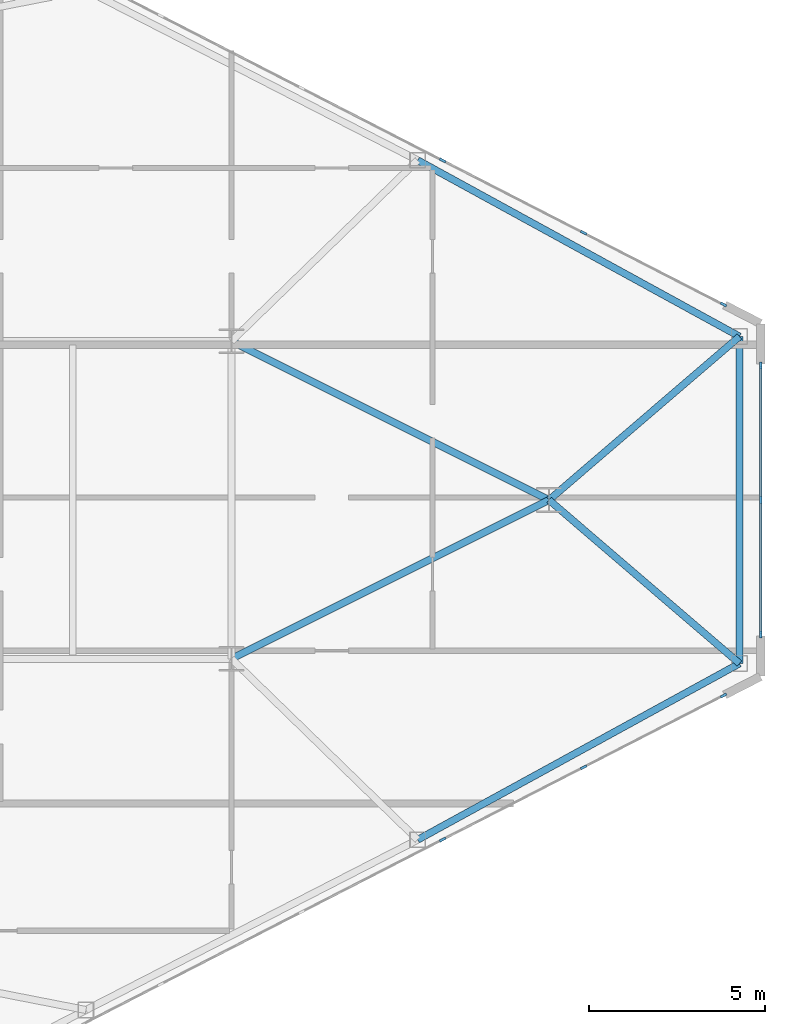
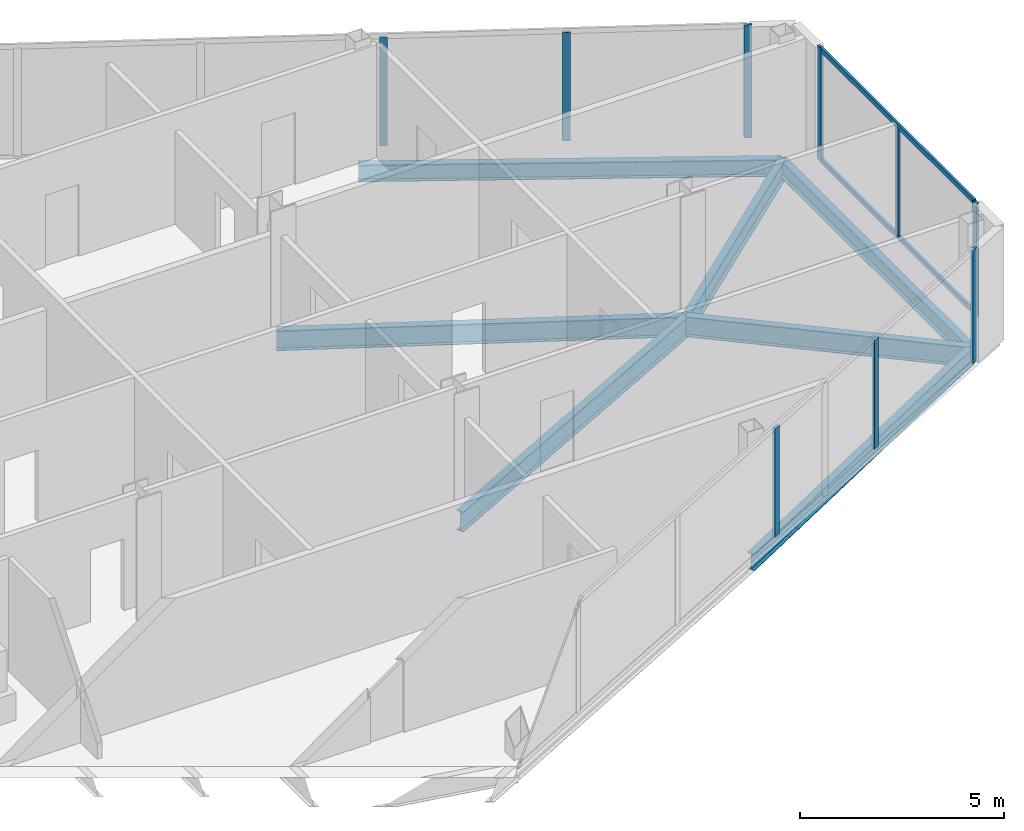
# One storey, part 13 of 23: 11 members, 7 beams, 3 elements without a shape of their own.
"""IFC4 building model written with IfcOpenShell, lengths in metres."""

import ifcopenshell
import ifcopenshell.guid

model = None  # the IFC model being written
_history = None  # IfcOwnerHistory: only IFC2X3 demands one
_inside = {}  # id of a spatial element -> (the spatial element, [elements in it])
_under = {}  # id of a project, library or spatial element -> (it, [spatial elements below it])
_declared = {}  # id of a project -> (the project, [libraries it declares])
_typed = {}  # id of a type object -> (the type object, [elements of that type])
_made_of = {}  # id of a material, layer set ... -> (it, [elements and type objects made of it])


def new_model(schema):
    """Start an empty IFC model of exactly this schema.

    Asked for "IFC4X3", IfcOpenShell would pick the latest addendum, in which some entities
    have other attributes; the version numbers below select the first issue.
    IFC2X3 requires an IfcOwnerHistory on every rooted entity: one is made here for all.
    """
    global model, _history
    if schema == "IFC4X3":
        model = ifcopenshell.file(schema_version=(4, 3, 0, 0))
    else:
        model = ifcopenshell.file(schema=schema)
    _inside.clear()
    _under.clear()
    _declared.clear()
    _typed.clear()
    _made_of.clear()
    _history = None
    if model.schema == "IFC2X3":
        org = make("IfcOrganization", Name="unknown")
        user = make(
            "IfcPersonAndOrganization",
            ThePerson=make("IfcPerson", FamilyName="unknown"),
            TheOrganization=org,
        )
        app = make(
            "IfcApplication",
            ApplicationDeveloper=org,
            Version="unknown",
            ApplicationFullName="unknown",
            ApplicationIdentifier="unknown",
        )
        _history = make(
            "IfcOwnerHistory",
            OwningUser=user,
            OwningApplication=app,
            ChangeAction="ADDED",
            CreationDate=0,
        )
    return model


def make(cls, **values):
    """One entity of the class cls with the attributes given. An attribute that is None is left unset."""
    return model.create_entity(
        cls, **{name: value for name, value in values.items() if value is not None}
    )


def rooted(cls, **values):
    """An entity with a GlobalId (a new one), such as an element, a storey or a relation."""
    return make(cls, GlobalId=ifcopenshell.guid.new(), OwnerHistory=_history, **values)


def si_unit(unit_type, name, prefix=None):
    """IfcSIUnit, for example si_unit("LENGTHUNIT", "METRE", prefix="MILLI")."""
    return make("IfcSIUnit", UnitType=unit_type, Prefix=prefix, Name=name)


def assignment(units):
    """IfcUnitAssignment: the units of a project."""
    return None if units is None else make("IfcUnitAssignment", Units=units)


def point(xyz):
    """IfcCartesianPoint."""
    return None if xyz is None else make("IfcCartesianPoint", Coordinates=xyz)


def direction(xyz):
    """IfcDirection."""
    return None if xyz is None else make("IfcDirection", DirectionRatios=xyz)


def frame(location, z_axis=None, x_axis=None):
    """IfcAxis2Placement3D, a coordinate frame: its origin and axes. An axis left out is left unset."""
    return make(
        "IfcAxis2Placement3D",
        Location=point(location),
        Axis=direction(z_axis),
        RefDirection=direction(x_axis),
    )


def frame_2d(location, x_axis=None):
    """IfcAxis2Placement2D, a coordinate frame in the plane: its origin and x axis."""
    return make(
        "IfcAxis2Placement2D", Location=point(location), RefDirection=direction(x_axis)
    )


def origin():
    """The frame at (0, 0, 0) with its axes left unset."""
    return frame((0.0, 0.0, 0.0))


def origin_2d():
    """The frame at (0, 0) in the plane with its x axis left unset."""
    return frame_2d((0.0, 0.0))


def place(relative_to, where):
    """IfcLocalPlacement: puts the frame where relative to a parent placement (None: the world)."""
    return make(
        "IfcLocalPlacement", PlacementRelTo=relative_to, RelativePlacement=where
    )


def context(
    kind, dimensions, precision=None, world=None, true_north=None, identifier=None
):
    """IfcGeometricRepresentationContext, for example the 3D "Model" context."""
    return make(
        "IfcGeometricRepresentationContext",
        ContextIdentifier=identifier,
        ContextType=kind,
        CoordinateSpaceDimension=dimensions,
        Precision=precision,
        WorldCoordinateSystem=world,
        TrueNorth=true_north,
    )


def subcontext(parent, identifier, kind, view, scale=None):
    """IfcGeometricRepresentationSubContext, for example "Body" below "Model"."""
    return make(
        "IfcGeometricRepresentationSubContext",
        ContextIdentifier=identifier,
        ContextType=kind,
        ParentContext=parent,
        TargetScale=scale,
        TargetView=view,
    )


def project(units=None, contexts=None):
    """IfcProject with its units and contexts."""
    return rooted(
        "IfcProject",
        Name="project",
        RepresentationContexts=contexts,
        UnitsInContext=assignment(units),
    )


def spatial(cls, under=None, at=None, **own):
    """A site, building, storey or space (cls), placed at a placement, below another one or the project."""
    s = rooted(cls, ObjectPlacement=at, **own)
    if under is not None:
        _under.setdefault(under.id(), (under, []))[1].append(s)
    return s


def profile(cls, at=None, kind="AREA", **sizes):
    """A parametric profile (cls). Its sizes go by their IFC names, for example OverallWidth=200.0."""
    return make(cls, ProfileType=kind, Position=at, **sizes)


def rectangle(**sizes):
    """IfcRectangleProfileDef."""
    return profile("IfcRectangleProfileDef", **sizes)


def i_section(**sizes):
    """IfcIShapeProfileDef."""
    return profile("IfcIShapeProfileDef", **sizes)


def extrude(swept, where, along, depth):
    """IfcExtrudedAreaSolid: the profile swept, set in the frame where, extruded along a direction by depth."""
    return make(
        "IfcExtrudedAreaSolid",
        SweptArea=swept,
        Position=where,
        ExtrudedDirection=direction(along),
        Depth=depth,
    )


def shape(context_of_items, identifier, shape_type, items):
    """IfcShapeRepresentation: the items that make up one representation, for example the "Body"."""
    return make(
        "IfcShapeRepresentation",
        ContextOfItems=context_of_items,
        RepresentationIdentifier=identifier,
        RepresentationType=shape_type,
        Items=items,
    )


def source(mapping_origin, context_of_items, identifier, shape_type, items):
    """IfcRepresentationMap: a shape defined once, which mapped items show again and again."""
    return make(
        "IfcRepresentationMap",
        MappingOrigin=mapping_origin,
        MappedRepresentation=shape(context_of_items, identifier, shape_type, items),
    )


def transform(
    local_origin,
    x_axis=None,
    y_axis=None,
    z_axis=None,
    scale=None,
    scale2=None,
    scale3=None,
    uniform=True,
):
    """IfcCartesianTransformationOperator3D, or its non-uniform kind. x_axis, y_axis, z_axis: its Axis1, 2, 3."""
    if uniform:
        return make(
            "IfcCartesianTransformationOperator3D",
            Axis1=direction(x_axis),
            Axis2=direction(y_axis),
            LocalOrigin=point(local_origin),
            Scale=scale,
            Axis3=direction(z_axis),
        )
    return make(
        "IfcCartesianTransformationOperator3DnonUniform",
        Axis1=direction(x_axis),
        Axis2=direction(y_axis),
        LocalOrigin=point(local_origin),
        Scale=scale,
        Axis3=direction(z_axis),
        Scale2=scale2,
        Scale3=scale3,
    )


def mapped(mapping_source, mapping_target):
    """IfcMappedItem: shows the shape of a source again, moved by a transform."""
    return make(
        "IfcMappedItem", MappingSource=mapping_source, MappingTarget=mapping_target
    )


def material(Name=None, Category=None):
    """IfcMaterial."""
    return make("IfcMaterial", Name=Name, Category=Category)


def layer(
    of_material, thickness, ventilated=None, Name=None, Category=None, Priority=None
):
    """IfcMaterialLayer: one layer of a wall or slab, of a material (None: an air gap)."""
    return make(
        "IfcMaterialLayer",
        Material=of_material,
        LayerThickness=thickness,
        IsVentilated=ventilated,
        Name=Name,
        Category=Category,
        Priority=Priority,
    )


def layer_set(layers, Name=None):
    """IfcMaterialLayerSet."""
    return make("IfcMaterialLayerSet", MaterialLayers=layers, LayerSetName=Name)


def material_profile(
    of_material, cross_section, Name=None, Category=None, Priority=None
):
    """IfcMaterialProfile: a cross section and its material."""
    return make(
        "IfcMaterialProfile",
        Name=Name,
        Material=of_material,
        Profile=cross_section,
        Priority=Priority,
        Category=Category,
    )


def profile_set(profiles, Name=None, composite=None):
    """IfcMaterialProfileSet."""
    return make(
        "IfcMaterialProfileSet",
        Name=Name,
        MaterialProfiles=profiles,
        CompositeProfile=composite,
    )


def made_of(thing, what):
    """Note that an element or type object is made of a material, layer set ...; save() writes the relation."""
    if what is not None:
        _made_of.setdefault(what.id(), (what, []))[1].append(thing)
    return thing


def type_object(cls, material=None, **own):
    """A type object (cls), such as IfcWallType, which elements share."""
    return made_of(rooted(cls, **own), material)


def type_shapes(of_type, sources):
    """Give a type object the sources (RepresentationMaps) that its elements show as mapped items."""
    of_type.RepresentationMaps = sources


def element(
    cls,
    number,
    at=None,
    inside=None,
    cuts=None,
    type_object=None,
    material=None,
    context=None,
    identifier="Body",
    shape_type=None,
    held_by="IfcProductDefinitionShape",
    body=None,
    shapes=None,
    **own,
):
    """One element of the class cls, such as IfcWall. Its Tag is "e" and its number.

    at: its placement. inside: the storey or other place that contains it. cuts: it is an
    opening in that element (IfcRelVoidsElement). A single representation is given by context,
    identifier, shape_type and body (its items); several are given by shapes. held_by: the class
    of the entity that holds the representations. save() writes the other relations.
    """
    e = rooted(cls, Tag="e%d" % number, ObjectPlacement=at, **own)
    if body is not None:
        shapes = [shape(context, identifier, shape_type, body)]
    if shapes is not None:
        e.Representation = make(held_by, Representations=shapes)
    if inside is not None:
        _inside.setdefault(inside.id(), (inside, []))[1].append(e)
    if cuts is not None:
        rooted(
            "IfcRelVoidsElement", RelatingBuildingElement=cuts, RelatedOpeningElement=e
        )
    if type_object is not None:
        _typed.setdefault(type_object.id(), (type_object, []))[1].append(e)
    return made_of(e, material)


def aggregate(whole, parts):
    """IfcRelAggregates: a whole, such as a stair, and the parts it consists of."""
    return rooted("IfcRelAggregates", RelatingObject=whole, RelatedObjects=parts)


def save(model, path):
    """Write the relations noted so far, then the file.

    IfcRelAggregates (storeys below a building ...), IfcRelContainedInSpatialStructure (elements
    in a storey), IfcRelDefinesByType, IfcRelAssociatesMaterial and IfcRelDeclares: one each for
    every whole, place, type object, material and project.
    """
    for whole, parts in _under.values():
        aggregate(whole, parts)
    for where, things in _inside.values():
        rooted(
            "IfcRelContainedInSpatialStructure",
            RelatedElements=things,
            RelatingStructure=where,
        )
    for kind, things in _typed.values():
        rooted("IfcRelDefinesByType", RelatedObjects=things, RelatingType=kind)
    for what, things in _made_of.values():
        rooted("IfcRelAssociatesMaterial", RelatedObjects=things, RelatingMaterial=what)
    for by, libraries in _declared.values():
        rooted("IfcRelDeclares", RelatingContext=by, RelatedDefinitions=libraries)
    model.write(path)


model = new_model("IFC4")

# Units and contexts
model_context = context("Model", 3, precision=1e-05, world=origin(), true_north=direction((0.0, 1.0)))
body_context = subcontext(model_context, "Body", "Model", "MODEL_VIEW")
ifc_project = project(units=[si_unit("LENGTHUNIT", "METRE"), si_unit("AREAUNIT", "SQUARE_METRE"), si_unit("VOLUMEUNIT", "CUBIC_METRE"), si_unit("PLANEANGLEUNIT", "RADIAN"), si_unit("MASSUNIT", "GRAM", prefix="KILO")], contexts=[model_context])

# Site, building, storey
site_placement = place(None, origin())
site = spatial("IfcSite", under=ifc_project, at=site_placement, CompositionType="ELEMENT")
building_placement = place(site_placement, origin())
building = spatial("IfcBuilding", under=site, at=building_placement, Name="Seokmaru Belvedere", CompositionType="ELEMENT")
storey_placement = place(building_placement, frame((0.0, 0.0, 154.800048828125)))
storey = spatial("IfcBuildingStorey", under=building, at=storey_placement, Name="L41", CompositionType="ELEMENT", Elevation=154.800048828125)

# Beams
ifc_material_1 = material(Name="Steel SM355 (355 MPa)", Category="steel")
ifc_material_profile_1 = material_profile(ifc_material_1, i_section(OverallWidth=0.199951171875, OverallDepth=0.60009765625, WebThickness=0.010986328125, FlangeThickness=0.01708984375, at=origin_2d()), Name="H-600x200x11x17")
ifc_profile_set_1 = profile_set([ifc_material_profile_1], Name="Steel SM355 (355 MPa)")
beam_type_1 = type_object("IfcBeamType", Name="Primary Floor Girder H-600", PredefinedType="BEAM", material=ifc_profile_set_1)
shared_shape_1 = source(origin(), body_context, "Body", "SweptSolid", [
    extrude(i_section(OverallWidth=0.199951171875, OverallDepth=0.60009765625, WebThickness=0.010986328125, FlangeThickness=0.01708984375, at=origin_2d()), origin(), (0.0, 0.0, 1.0), 10.062255859375),
])
for number, where, z_axis, x_axis, name in (
    (1, (54.5, -4.5, -0.52001953125), (0.894427191, 0.4472135955, 0.0), (-0.4472135955, 0.894427191, 0.0), "L41 E Apex Converging Girder 1"),
    (2, (54.5, 4.5, -0.52001953125), (0.894427191, -0.4472135955, 0.0), (0.4472135955, 0.894427191, 0.0), "L41 E Apex Converging Girder 2"),
):
    element("IfcBeam", number, at=place(storey_placement, frame(where, z_axis=z_axis, x_axis=x_axis)), inside=storey, type_object=beam_type_1, Name=name, PredefinedType="BEAM", context=body_context, shape_type="MappedRepresentation", body=[
        mapped(shared_shape_1, transform((0.0, 0.0, 0.0), scale=1.0)),
    ])
ifc_material_profile_2 = material_profile(ifc_material_1, i_section(OverallWidth=0.199951171875, OverallDepth=0.5, WebThickness=0.010009765625, FlangeThickness=0.01611328125, at=origin_2d()), Name="H-500x200x10x16")
ifc_profile_set_2 = profile_set([ifc_material_profile_2], Name="Steel SM355 (355 MPa)")
beam_type_2 = type_object("IfcBeamType", Name="Perimeter Spandrel Beam H-500", PredefinedType="SPANDREL", material=ifc_profile_set_2)
shared_shape_2 = source(origin(), body_context, "Body", "SweptSolid", [
    extrude(i_section(OverallWidth=0.199951171875, OverallDepth=0.5, WebThickness=0.010009765625, FlangeThickness=0.01611328125, at=origin_2d()), origin(), (0.0, 0.0, 1.0), 10.399658203125),
])
for number, where, z_axis, x_axis, name in (
    (3, (59.778564453125, -9.62890625, -0.469970703125), (0.877082374422, 0.480339992587, 0.0), (-0.480339992587, 0.877082374422, 0.0), "L41 E Faceted Flank Spandrel S-4"),
    (4, (59.778564453125, 9.62890625, -0.469970703125), (0.877082374422, -0.480339992587, 0.0), (0.480339992587, 0.877082374422, 0.0), "L41 E Faceted Flank Spandrel N-4"),
):
    element("IfcBeam", number, at=place(storey_placement, frame(where, z_axis=z_axis, x_axis=x_axis)), inside=storey, type_object=beam_type_2, Name=name, PredefinedType="SPANDREL", context=body_context, shape_type="MappedRepresentation", body=[
        mapped(shared_shape_2, transform((0.0, 0.0, 0.0), scale=1.0)),
    ])
shared_shape_3 = source(origin(), body_context, "Body", "SweptSolid", [
    extrude(i_section(OverallWidth=0.199951171875, OverallDepth=0.5, WebThickness=0.010009765625, FlangeThickness=0.01611328125, at=origin_2d()), origin(), (0.0, 0.0, 1.0), 9.26708984375),
])
type_shapes(beam_type_2, [shared_shape_2, shared_shape_3])
beam_placement = place(storey_placement, frame((68.89990234375, -4.633544921875, -0.469970703125), z_axis=(0.0, 1.0, 0.0), x_axis=(-1.0, 0.0, 0.0)))
element("IfcBeam", 5, at=beam_placement, inside=storey, type_object=beam_type_2, Name="L41 E Faceted Apex Spandrel", PredefinedType="SPANDREL", context=body_context, shape_type="MappedRepresentation", body=[
    mapped(shared_shape_3, transform((0.0, 0.0, 0.0), scale=1.0)),
])
shared_shape_4 = source(origin(), body_context, "Body", "SweptSolid", [
    extrude(i_section(OverallWidth=0.199951171875, OverallDepth=0.60009765625, WebThickness=0.010986328125, FlangeThickness=0.01708984375, at=origin_2d()), origin(), (0.0, 0.0, 1.0), 7.115478515625),
])
type_shapes(beam_type_1, [shared_shape_1, shared_shape_4])
for number, where, z_axis, x_axis, name in (
    (6, (68.89990234375, -4.633544921875, -0.52001953125), (-0.758905301881, 0.651201000289, 0.0), (-0.651201000289, -0.758905301881, 0.0), "L41 E Apex Radial Floor Girder 1"),
    (7, (68.89990234375, 4.633544921875, -0.52001953125), (-0.758905301881, -0.651201000289, 0.0), (0.651201000289, -0.758905301881, 0.0), "L41 E Apex Radial Floor Girder 2"),
):
    element("IfcBeam", number, at=place(storey_placement, frame(where, z_axis=z_axis, x_axis=x_axis)), inside=storey, type_object=beam_type_1, Name=name, PredefinedType="BEAM", context=body_context, shape_type="MappedRepresentation", body=[
        mapped(shared_shape_4, transform((0.0, 0.0, 0.0), scale=1.0)),
    ])

# Curtain wall, member
ifc_material_2 = material(Name="Bronze Triple Insulating Glass", Category="glass")
ifc_layer = layer(ifc_material_2, 0.195068359375)
ifc_layer_set = layer_set([ifc_layer], Name="Bronze Triple Insulating Glass")
curtain_wall_type = type_object("IfcCurtainWallType", Name="Sky-Lobby and Mid-Rise Curtain Wall System CW-4", PredefinedType="NOTDEFINED", material=ifc_layer_set)
curtain_wall_1_placement = place(storey_placement, origin())
curtain_wall_1 = element("IfcCurtainWall", 8, at=curtain_wall_1_placement, inside=storey, type_object=curtain_wall_type, Name="L41 Curtain Wall EF1", PredefinedType="NOTDEFINED")
ifc_material_3 = material(Name="Anodised Bronze Aluminium", Category="aluminium")
ifc_material_profile_3 = material_profile(ifc_material_3, rectangle(XDim=0.070068359375, YDim=0.195068359375, at=origin_2d()), Name="CW-M-70x195")
ifc_profile_set_3 = profile_set([ifc_material_profile_3], Name="Anodised Bronze Aluminium")
member_type_1 = type_object("IfcMemberType", Name="Bronze Unitised Mullion 70x195", PredefinedType="MULLION", material=ifc_profile_set_3)
shared_shape_5 = source(origin(), body_context, "Body", "SweptSolid", [
    extrude(rectangle(XDim=0.070068359375, YDim=0.195068359375, at=origin_2d()), origin(), (0.0, 0.0, 1.0), 3.3798828125),
])
member_1_placement = place(storey_placement, frame((68.44580078125, -5.541015625, 0.0), z_axis=(0.0, 0.0, 1.0), x_axis=(-0.456554528263, 0.889695432562, 0.0)))
member_1 = element("IfcMember", 9, at=member_1_placement, type_object=member_type_1, Name="CW:L41:EF1 Mullion 10", PredefinedType="MULLION", context=body_context, shape_type="MappedRepresentation", body=[
    mapped(shared_shape_5, transform((0.0, 0.0, 0.0), scale=1.0)),
])

# Curtain wall, members
curtain_wall_2_placement = place(storey_placement, origin())
curtain_wall_2 = element("IfcCurtainWall", 10, at=curtain_wall_2_placement, inside=storey, type_object=curtain_wall_type, Name="L41 Curtain Wall EF2", PredefinedType="NOTDEFINED")
member_2_placement = place(storey_placement, frame((69.5, -3.81494140625, 0.0), z_axis=(0.0, 0.0, 1.0), x_axis=(-1.0, 0.0, 0.0)))
member_2 = element("IfcMember", 11, at=member_2_placement, type_object=member_type_1, Name="CW:L41:EF2 Mullion 1", PredefinedType="MULLION", context=body_context, shape_type="MappedRepresentation", body=[
    mapped(shared_shape_5, transform((0.0, 0.0, 0.0), scale=1.0)),
])
member_3_placement = place(storey_placement, frame((69.5, 3.81494140625, 0.0), z_axis=(0.0, 0.0, 1.0), x_axis=(-1.0, 0.0, 0.0)))
member_3 = element("IfcMember", 12, at=member_3_placement, type_object=member_type_1, Name="CW:L41:EF2 Mullion 3", PredefinedType="MULLION", context=body_context, shape_type="MappedRepresentation", body=[
    mapped(shared_shape_5, transform((0.0, 0.0, 0.0), scale=1.0)),
])

# Curtain wall, member
curtain_wall_3_placement = place(storey_placement, origin())
curtain_wall_3 = element("IfcCurtainWall", 13, at=curtain_wall_3_placement, inside=storey, type_object=curtain_wall_type, Name="L41 Curtain Wall EF3", PredefinedType="NOTDEFINED")
member_4_placement = place(storey_placement, frame((68.44580078125, 5.541015625, 0.0), z_axis=(0.0, 0.0, 1.0), x_axis=(-0.456554528263, -0.889695432562, 0.0)))
member_4 = element("IfcMember", 14, at=member_4_placement, type_object=member_type_1, Name="CW:L41:EF3 Mullion 1", PredefinedType="MULLION", context=body_context, shape_type="MappedRepresentation", body=[
    mapped(shared_shape_5, transform((0.0, 0.0, 0.0), scale=1.0)),
])

# Member
shared_shape_6 = source(origin(), body_context, "Body", "SweptSolid", [
    extrude(rectangle(XDim=0.070068359375, YDim=0.195068359375, at=origin_2d()), origin(), (0.0, 0.0, 1.0), 3.25),
])
type_shapes(member_type_1, [shared_shape_5, shared_shape_6])
member_5_placement = place(storey_placement, frame((60.4873046875, -9.625, 0.06494140625), z_axis=(0.0, 0.0, 1.0), x_axis=(-0.456554528263, 0.889695432562, 0.0)))
member_5 = element("IfcMember", 15, at=member_5_placement, type_object=member_type_1, Name="CW:L41:EF1 Mullion 8", PredefinedType="MULLION", context=body_context, shape_type="MappedRepresentation", body=[
    mapped(shared_shape_6, transform((0.0, 0.0, 0.0), scale=1.0)),
])

member_6_placement = place(storey_placement, frame((64.48193359375, -7.574951171875, 0.06494140625), z_axis=(0.0, 0.0, 1.0), x_axis=(-0.456554528263, 0.889695432562, 0.0)))
member_6 = element("IfcMember", 16, at=member_6_placement, type_object=member_type_1, Name="CW:L41:EF1 Mullion 9", PredefinedType="MULLION", context=body_context, shape_type="MappedRepresentation", body=[
    mapped(shared_shape_6, transform((0.0, 0.0, 0.0), scale=1.0)),
])

aggregate(curtain_wall_1, [member_5, member_6, member_1])

member_7_placement = place(storey_placement, frame((69.5, 0.0, 0.06494140625), z_axis=(0.0, 0.0, 1.0), x_axis=(-1.0, 0.0, 0.0)))
member_7 = element("IfcMember", 17, at=member_7_placement, type_object=member_type_1, Name="CW:L41:EF2 Mullion 2", PredefinedType="MULLION", context=body_context, shape_type="MappedRepresentation", body=[
    mapped(shared_shape_6, transform((0.0, 0.0, 0.0), scale=1.0)),
])

member_8_placement = place(storey_placement, frame((64.48193359375, 7.574951171875, 0.06494140625), z_axis=(0.0, 0.0, 1.0), x_axis=(-0.456554528263, -0.889695432562, 0.0)))
member_8 = element("IfcMember", 18, at=member_8_placement, type_object=member_type_1, Name="CW:L41:EF3 Mullion 2", PredefinedType="MULLION", context=body_context, shape_type="MappedRepresentation", body=[
    mapped(shared_shape_6, transform((0.0, 0.0, 0.0), scale=1.0)),
])

member_9_placement = place(storey_placement, frame((60.4873046875, 9.625, 0.06494140625), z_axis=(0.0, 0.0, 1.0), x_axis=(-0.456554528263, -0.889695432562, 0.0)))
member_9 = element("IfcMember", 19, at=member_9_placement, type_object=member_type_1, Name="CW:L41:EF3 Mullion 3", PredefinedType="MULLION", context=body_context, shape_type="MappedRepresentation", body=[
    mapped(shared_shape_6, transform((0.0, 0.0, 0.0), scale=1.0)),
])

aggregate(curtain_wall_3, [member_4, member_8, member_9])

ifc_material_profile_4 = material_profile(ifc_material_3, rectangle(XDim=0.06494140625, YDim=0.14990234375, at=origin_2d()), Name="CW-T-65x150")
ifc_profile_set_4 = profile_set([ifc_material_profile_4], Name="Anodised Bronze Aluminium")
member_type_2 = type_object("IfcMemberType", Name="Bronze Unitised Transom 65x150", PredefinedType="USERDEFINED", material=ifc_profile_set_4)
shared_shape_7 = source(origin(), body_context, "Body", "SweptSolid", [
    extrude(rectangle(XDim=0.06494140625, YDim=0.14990234375, at=origin_2d()), origin(), (0.0, 0.0, 1.0), 7.56005859375),
])
type_shapes(member_type_2, [shared_shape_7])
member_10_placement = place(storey_placement, frame((69.5, -3.780029296875, 0.032470703125), z_axis=(0.0, 1.0, 0.0), x_axis=(-1.0, 0.0, 0.0)))
member_10 = element("IfcMember", 20, at=member_10_placement, type_object=member_type_2, Name="CW:L41:EF2 Continuous Transom 1", ObjectType="TRANSOM", PredefinedType="USERDEFINED", context=body_context, shape_type="MappedRepresentation", body=[
    mapped(shared_shape_7, transform((0.0, 0.0, 0.0), scale=1.0)),
])

member_11_placement = place(storey_placement, frame((69.5, -3.780029296875, 3.347412109375), z_axis=(0.0, 1.0, 0.0), x_axis=(-1.0, 0.0, 0.0)))
member_11 = element("IfcMember", 21, at=member_11_placement, type_object=member_type_2, Name="CW:L41:EF2 Continuous Transom 2", ObjectType="TRANSOM", PredefinedType="USERDEFINED", context=body_context, shape_type="MappedRepresentation", body=[
    mapped(shared_shape_7, transform((0.0, 0.0, 0.0), scale=1.0)),
])

aggregate(curtain_wall_2, [member_2, member_7, member_3, member_10, member_11])

save(model, "model.ifc")
